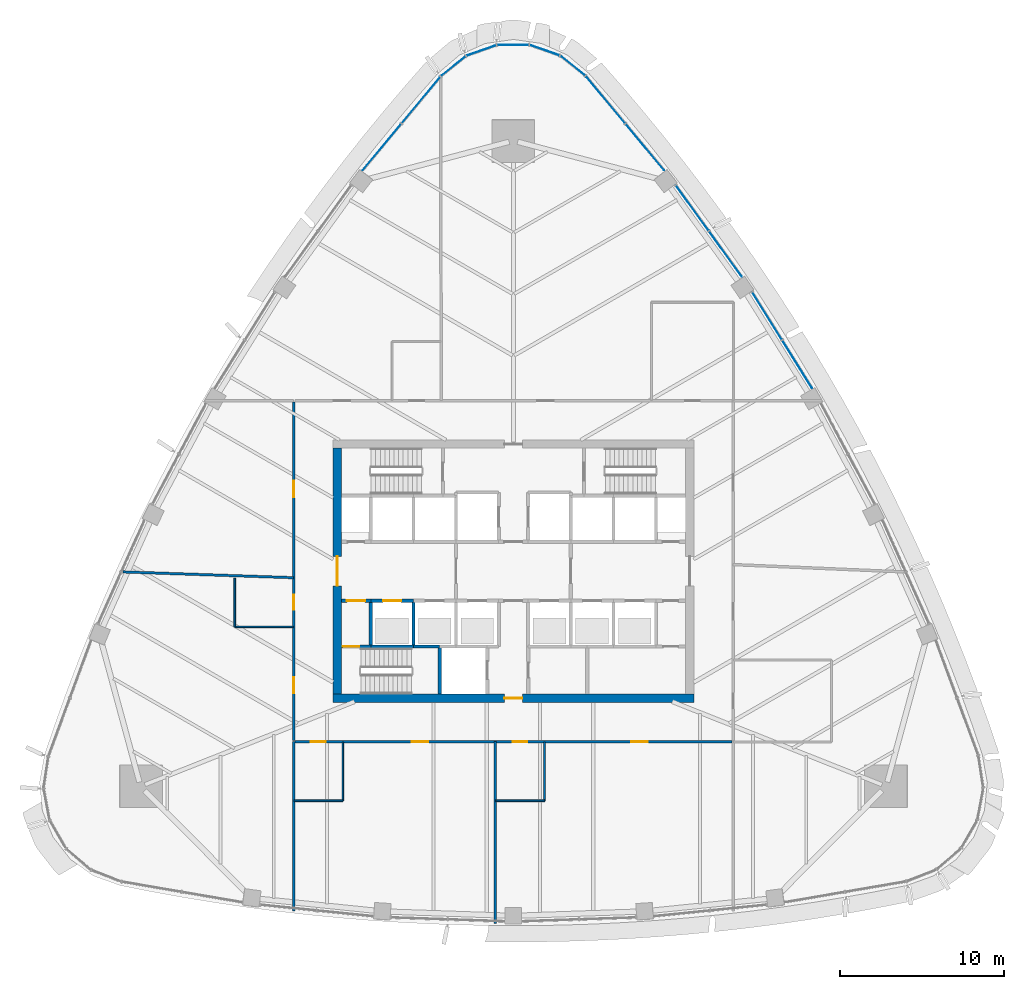
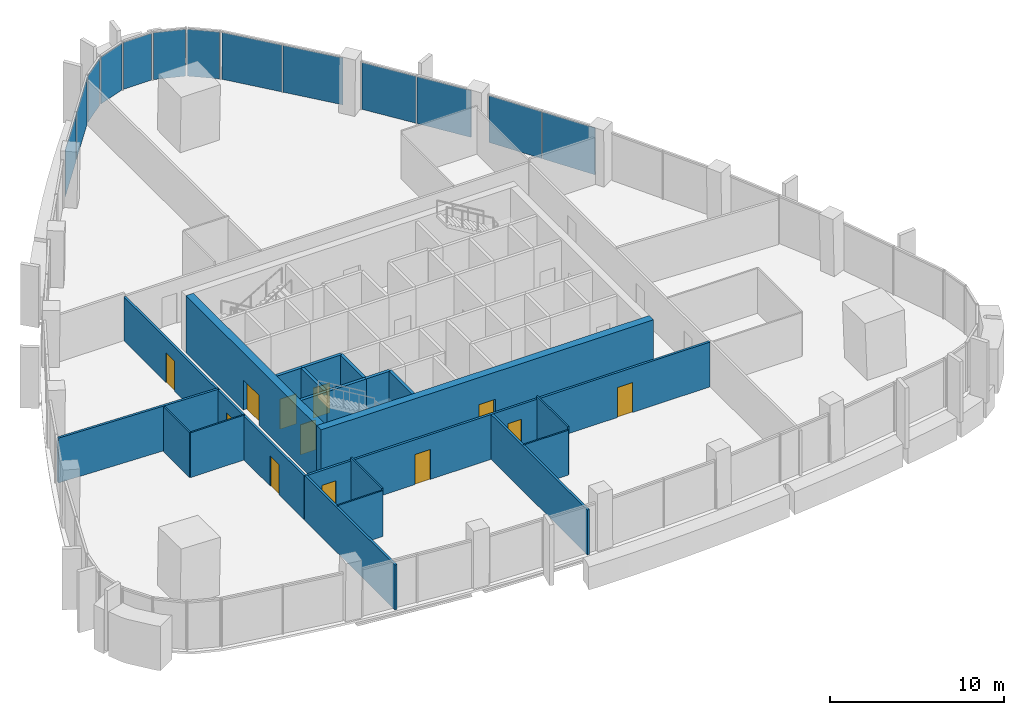
# One storey, part 9 of 19: 21 walls, 13 plates, 12 doors, 12 openings, 9 elements without a shape of their own.
"""IFC4 building model written with IfcOpenShell, lengths in metres."""

import ifcopenshell
import ifcopenshell.guid

model = None  # the IFC model being written
_history = None  # IfcOwnerHistory: only IFC2X3 demands one
_inside = {}  # id of a spatial element -> (the spatial element, [elements in it])
_under = {}  # id of a project, library or spatial element -> (it, [spatial elements below it])
_declared = {}  # id of a project -> (the project, [libraries it declares])
_typed = {}  # id of a type object -> (the type object, [elements of that type])
_made_of = {}  # id of a material, layer set ... -> (it, [elements and type objects made of it])


def new_model(schema):
    """Start an empty IFC model of exactly this schema.

    Asked for "IFC4X3", IfcOpenShell would pick the latest addendum, in which some entities
    have other attributes; the version numbers below select the first issue.
    IFC2X3 requires an IfcOwnerHistory on every rooted entity: one is made here for all.
    """
    global model, _history
    if schema == "IFC4X3":
        model = ifcopenshell.file(schema_version=(4, 3, 0, 0))
    else:
        model = ifcopenshell.file(schema=schema)
    _inside.clear()
    _under.clear()
    _declared.clear()
    _typed.clear()
    _made_of.clear()
    _history = None
    if model.schema == "IFC2X3":
        org = make("IfcOrganization", Name="unknown")
        user = make(
            "IfcPersonAndOrganization",
            ThePerson=make("IfcPerson", FamilyName="unknown"),
            TheOrganization=org,
        )
        app = make(
            "IfcApplication",
            ApplicationDeveloper=org,
            Version="unknown",
            ApplicationFullName="unknown",
            ApplicationIdentifier="unknown",
        )
        _history = make(
            "IfcOwnerHistory",
            OwningUser=user,
            OwningApplication=app,
            ChangeAction="ADDED",
            CreationDate=0,
        )
    return model


def make(cls, **values):
    """One entity of the class cls with the attributes given. An attribute that is None is left unset."""
    return model.create_entity(
        cls, **{name: value for name, value in values.items() if value is not None}
    )


def rooted(cls, **values):
    """An entity with a GlobalId (a new one), such as an element, a storey or a relation."""
    return make(cls, GlobalId=ifcopenshell.guid.new(), OwnerHistory=_history, **values)


def si_unit(unit_type, name, prefix=None):
    """IfcSIUnit, for example si_unit("LENGTHUNIT", "METRE", prefix="MILLI")."""
    return make("IfcSIUnit", UnitType=unit_type, Prefix=prefix, Name=name)


def assignment(units):
    """IfcUnitAssignment: the units of a project."""
    return None if units is None else make("IfcUnitAssignment", Units=units)


def point(xyz):
    """IfcCartesianPoint."""
    return None if xyz is None else make("IfcCartesianPoint", Coordinates=xyz)


def direction(xyz):
    """IfcDirection."""
    return None if xyz is None else make("IfcDirection", DirectionRatios=xyz)


def frame(location, z_axis=None, x_axis=None):
    """IfcAxis2Placement3D, a coordinate frame: its origin and axes. An axis left out is left unset."""
    return make(
        "IfcAxis2Placement3D",
        Location=point(location),
        Axis=direction(z_axis),
        RefDirection=direction(x_axis),
    )


def frame_2d(location, x_axis=None):
    """IfcAxis2Placement2D, a coordinate frame in the plane: its origin and x axis."""
    return make(
        "IfcAxis2Placement2D", Location=point(location), RefDirection=direction(x_axis)
    )


def origin():
    """The frame at (0, 0, 0) with its axes left unset."""
    return frame((0.0, 0.0, 0.0))


def origin_2d():
    """The frame at (0, 0) in the plane with its x axis left unset."""
    return frame_2d((0.0, 0.0))


def place(relative_to, where):
    """IfcLocalPlacement: puts the frame where relative to a parent placement (None: the world)."""
    return make(
        "IfcLocalPlacement", PlacementRelTo=relative_to, RelativePlacement=where
    )


def context(
    kind, dimensions, precision=None, world=None, true_north=None, identifier=None
):
    """IfcGeometricRepresentationContext, for example the 3D "Model" context."""
    return make(
        "IfcGeometricRepresentationContext",
        ContextIdentifier=identifier,
        ContextType=kind,
        CoordinateSpaceDimension=dimensions,
        Precision=precision,
        WorldCoordinateSystem=world,
        TrueNorth=true_north,
    )


def subcontext(parent, identifier, kind, view, scale=None):
    """IfcGeometricRepresentationSubContext, for example "Body" below "Model"."""
    return make(
        "IfcGeometricRepresentationSubContext",
        ContextIdentifier=identifier,
        ContextType=kind,
        ParentContext=parent,
        TargetScale=scale,
        TargetView=view,
    )


def project(units=None, contexts=None):
    """IfcProject with its units and contexts."""
    return rooted(
        "IfcProject",
        Name="project",
        RepresentationContexts=contexts,
        UnitsInContext=assignment(units),
    )


def spatial(cls, under=None, at=None, **own):
    """A site, building, storey or space (cls), placed at a placement, below another one or the project."""
    s = rooted(cls, ObjectPlacement=at, **own)
    if under is not None:
        _under.setdefault(under.id(), (under, []))[1].append(s)
    return s


def profile(cls, at=None, kind="AREA", **sizes):
    """A parametric profile (cls). Its sizes go by their IFC names, for example OverallWidth=200.0."""
    return make(cls, ProfileType=kind, Position=at, **sizes)


def rectangle(**sizes):
    """IfcRectangleProfileDef."""
    return profile("IfcRectangleProfileDef", **sizes)


def extrude(swept, where, along, depth):
    """IfcExtrudedAreaSolid: the profile swept, set in the frame where, extruded along a direction by depth."""
    return make(
        "IfcExtrudedAreaSolid",
        SweptArea=swept,
        Position=where,
        ExtrudedDirection=direction(along),
        Depth=depth,
    )


def shape(context_of_items, identifier, shape_type, items):
    """IfcShapeRepresentation: the items that make up one representation, for example the "Body"."""
    return make(
        "IfcShapeRepresentation",
        ContextOfItems=context_of_items,
        RepresentationIdentifier=identifier,
        RepresentationType=shape_type,
        Items=items,
    )


def material(Name=None, Category=None):
    """IfcMaterial."""
    return make("IfcMaterial", Name=Name, Category=Category)


def layer(
    of_material, thickness, ventilated=None, Name=None, Category=None, Priority=None
):
    """IfcMaterialLayer: one layer of a wall or slab, of a material (None: an air gap)."""
    return make(
        "IfcMaterialLayer",
        Material=of_material,
        LayerThickness=thickness,
        IsVentilated=ventilated,
        Name=Name,
        Category=Category,
        Priority=Priority,
    )


def layer_set(layers, Name=None):
    """IfcMaterialLayerSet."""
    return make("IfcMaterialLayerSet", MaterialLayers=layers, LayerSetName=Name)


def made_of(thing, what):
    """Note that an element or type object is made of a material, layer set ...; save() writes the relation."""
    if what is not None:
        _made_of.setdefault(what.id(), (what, []))[1].append(thing)
    return thing


def type_object(cls, material=None, **own):
    """A type object (cls), such as IfcWallType, which elements share."""
    return made_of(rooted(cls, **own), material)


def element(
    cls,
    number,
    at=None,
    inside=None,
    cuts=None,
    type_object=None,
    material=None,
    context=None,
    identifier="Body",
    shape_type=None,
    held_by="IfcProductDefinitionShape",
    body=None,
    shapes=None,
    **own,
):
    """One element of the class cls, such as IfcWall. Its Tag is "e" and its number.

    at: its placement. inside: the storey or other place that contains it. cuts: it is an
    opening in that element (IfcRelVoidsElement). A single representation is given by context,
    identifier, shape_type and body (its items); several are given by shapes. held_by: the class
    of the entity that holds the representations. save() writes the other relations.
    """
    e = rooted(cls, Tag="e%d" % number, ObjectPlacement=at, **own)
    if body is not None:
        shapes = [shape(context, identifier, shape_type, body)]
    if shapes is not None:
        e.Representation = make(held_by, Representations=shapes)
    if inside is not None:
        _inside.setdefault(inside.id(), (inside, []))[1].append(e)
    if cuts is not None:
        rooted(
            "IfcRelVoidsElement", RelatingBuildingElement=cuts, RelatedOpeningElement=e
        )
    if type_object is not None:
        _typed.setdefault(type_object.id(), (type_object, []))[1].append(e)
    return made_of(e, material)


def fill(opening, filler):
    """IfcRelFillsElement: the door or window that sits in an opening."""
    return rooted(
        "IfcRelFillsElement",
        RelatingOpeningElement=opening,
        RelatedBuildingElement=filler,
    )


def aggregate(whole, parts):
    """IfcRelAggregates: a whole, such as a stair, and the parts it consists of."""
    return rooted("IfcRelAggregates", RelatingObject=whole, RelatedObjects=parts)


def save(model, path):
    """Write the relations noted so far, then the file.

    IfcRelAggregates (storeys below a building ...), IfcRelContainedInSpatialStructure (elements
    in a storey), IfcRelDefinesByType, IfcRelAssociatesMaterial and IfcRelDeclares: one each for
    every whole, place, type object, material and project.
    """
    for whole, parts in _under.values():
        aggregate(whole, parts)
    for where, things in _inside.values():
        rooted(
            "IfcRelContainedInSpatialStructure",
            RelatedElements=things,
            RelatingStructure=where,
        )
    for kind, things in _typed.values():
        rooted("IfcRelDefinesByType", RelatedObjects=things, RelatingType=kind)
    for what, things in _made_of.values():
        rooted("IfcRelAssociatesMaterial", RelatedObjects=things, RelatingMaterial=what)
    for by, libraries in _declared.values():
        rooted("IfcRelDeclares", RelatingContext=by, RelatedDefinitions=libraries)
    model.write(path)


model = new_model("IFC4")

# Units and contexts
model_context = context("Model", 3, precision=1e-05, world=origin(), true_north=direction((0.0, 1.0)))
body_context = subcontext(model_context, "Body", "Model", "MODEL_VIEW")
ifc_project = project(units=[si_unit("LENGTHUNIT", "METRE"), si_unit("AREAUNIT", "SQUARE_METRE"), si_unit("VOLUMEUNIT", "CUBIC_METRE"), si_unit("PLANEANGLEUNIT", "RADIAN"), si_unit("MASSUNIT", "GRAM", prefix="KILO")], contexts=[model_context])

# Site, building, storey
site_placement = place(None, origin())
site = spatial("IfcSite", under=ifc_project, at=site_placement, CompositionType="ELEMENT")
building_placement = place(site_placement, origin())
building = spatial("IfcBuilding", under=site, at=building_placement, Name="Sierra Prisma Convention Tower", CompositionType="ELEMENT")
storey_placement = place(building_placement, frame((0.0, 0.0, 209.800048828125)))
storey = spatial("IfcBuildingStorey", under=building, at=storey_placement, Name="L47", CompositionType="ELEMENT", Elevation=209.800048828125)

# Curtain wall, plates
ifc_material_1 = material(Name="Aluminium and glass curtain wall", Category="aluminium")
ifc_layer_1 = layer(ifc_material_1, 0.179931640625)
ifc_layer_set_1 = layer_set([ifc_layer_1], Name="CW-1 Plain shaft curtain wall")
curtain_wall_type = type_object("IfcCurtainWallType", Name="CW-1 Plain shaft curtain wall", PredefinedType="NOTDEFINED", material=ifc_layer_set_1)
curtain_wall_1_placement = place(storey_placement, origin())
curtain_wall_1 = element("IfcCurtainWall", 1, at=curtain_wall_1_placement, inside=storey, type_object=curtain_wall_type, Name="CW-1 NE4 L47", PredefinedType="NOTDEFINED")
ifc_material_2 = material(Name="Tinted glass bronze-grey IGU", Category="glass")
ifc_layer_2 = layer(ifc_material_2, 0.028076171875)
ifc_layer_set_2 = layer_set([ifc_layer_2], Name="CW-1 glass panel")
plate_type = type_object("IfcPlateType", Name="CW-1 glass panel", PredefinedType="CURTAIN_PANEL", material=ifc_layer_set_2)
plate_1_placement = place(storey_placement, frame((17.309326171875, 12.616455078125, 0.0), z_axis=(0.0, 0.0, 1.0), x_axis=(-0.529128358012, 0.848541796701, 0.0)))
plate_1 = element("IfcPlate", 2, at=plate_1_placement, type_object=plate_type, Name="CW-1 panel NE4.1", PredefinedType="CURTAIN_PANEL", context=body_context, shape_type="SweptSolid", body=[
    extrude(rectangle(XDim=3.405517578125, YDim=0.028076171875, at=origin_2d()), origin(), (0.0, 0.0, 1.0), 3.280029296875),
])
plate_2_placement = place(storey_placement, frame((15.47021484375, 15.565673828125, 0.0), z_axis=(0.0, 0.0, 1.0), x_axis=(-0.529128358012, 0.848541796701, 0.0)))
plate_2 = element("IfcPlate", 3, at=plate_2_placement, type_object=plate_type, Name="CW-1 panel NE4.2", PredefinedType="CURTAIN_PANEL", context=body_context, shape_type="SweptSolid", body=[
    extrude(rectangle(XDim=3.405517578125, YDim=0.028076171875, at=origin_2d()), origin(), (0.0, 0.0, 1.0), 3.280029296875),
])
aggregate(curtain_wall_1, [plate_1, plate_2])

curtain_wall_2_placement = place(storey_placement, origin())
curtain_wall_2 = element("IfcCurtainWall", 4, at=curtain_wall_2_placement, inside=storey, type_object=curtain_wall_type, Name="CW-1 NE5 L47", PredefinedType="NOTDEFINED")
plate_3_placement = place(storey_placement, frame((12.934814453125, 19.3408203125, 0.0), z_axis=(0.0, 0.0, 1.0), x_axis=(-0.585520099679, 0.810657888922, 0.0)))
plate_3 = element("IfcPlate", 5, at=plate_3_placement, type_object=plate_type, Name="CW-1 panel NE5.1", PredefinedType="CURTAIN_PANEL", context=body_context, shape_type="SweptSolid", body=[
    extrude(rectangle(XDim=3.390380859375, YDim=0.028076171875, at=origin_2d()), origin(), (0.0, 0.0, 1.0), 3.280029296875),
])
plate_4_placement = place(storey_placement, frame((10.90869140625, 22.14599609375, 0.0), z_axis=(0.0, 0.0, 1.0), x_axis=(-0.585520099679, 0.810657888922, 0.0)))
plate_4 = element("IfcPlate", 6, at=plate_4_placement, type_object=plate_type, Name="CW-1 panel NE5.2", PredefinedType="CURTAIN_PANEL", context=body_context, shape_type="SweptSolid", body=[
    extrude(rectangle(XDim=3.390380859375, YDim=0.028076171875, at=origin_2d()), origin(), (0.0, 0.0, 1.0), 3.280029296875),
])
aggregate(curtain_wall_2, [plate_3, plate_4])

curtain_wall_3_placement = place(storey_placement, origin())
curtain_wall_3 = element("IfcCurtainWall", 7, at=curtain_wall_3_placement, inside=storey, type_object=curtain_wall_type, Name="CW-1 NE6 L47", PredefinedType="NOTDEFINED")
plate_5_placement = place(storey_placement, frame((8.02294921875, 25.863037109375, 0.0), z_axis=(0.0, 0.0, 1.0), x_axis=(-0.63920953786, 0.769032617455, 0.0)))
plate_5 = element("IfcPlate", 8, at=plate_5_placement, type_object=plate_type, Name="CW-1 panel NE6.1", PredefinedType="CURTAIN_PANEL", context=body_context, shape_type="SweptSolid", body=[
    extrude(rectangle(XDim=3.66162109375, YDim=0.028076171875, at=origin_2d()), origin(), (0.0, 0.0, 1.0), 3.280029296875),
])
plate_6_placement = place(storey_placement, frame((5.6376953125, 28.73291015625, 0.0), z_axis=(0.0, 0.0, 1.0), x_axis=(-0.63920953786, 0.769032617455, 0.0)))
plate_6 = element("IfcPlate", 9, at=plate_6_placement, type_object=plate_type, Name="CW-1 panel NE6.2", PredefinedType="CURTAIN_PANEL", context=body_context, shape_type="SweptSolid", body=[
    extrude(rectangle(XDim=3.66162109375, YDim=0.028076171875, at=origin_2d()), origin(), (0.0, 0.0, 1.0), 3.280029296875),
])
aggregate(curtain_wall_3, [plate_5, plate_6])

# Curtain wall, plate
curtain_wall_4_placement = place(storey_placement, origin())
curtain_wall_4 = element("IfcCurtainWall", 10, at=curtain_wall_4_placement, inside=storey, type_object=curtain_wall_type, Name="CW-1 N1 L47", PredefinedType="NOTDEFINED")
plate_7_placement = place(storey_placement, frame((3.646240234375, 30.815673828125, 0.0), z_axis=(0.0, 0.0, 1.0), x_axis=(-0.780905814202, 0.624648788797, 0.0)))
plate_7 = element("IfcPlate", 11, at=plate_7_placement, type_object=plate_type, Name="CW-1 panel N1.1", PredefinedType="CURTAIN_PANEL", context=body_context, shape_type="SweptSolid", body=[
    extrude(rectangle(XDim=1.84814453125, YDim=0.028076171875, at=origin_2d()), origin(), (0.0, 0.0, 1.0), 3.280029296875),
])
aggregate(curtain_wall_4, [plate_7])

curtain_wall_5_placement = place(storey_placement, origin())
curtain_wall_5 = element("IfcCurtainWall", 12, at=curtain_wall_5_placement, inside=storey, type_object=curtain_wall_type, Name="CW-1 N2 L47", PredefinedType="NOTDEFINED")
plate_8_placement = place(storey_placement, frame((1.93212890625, 31.765625, 0.0), z_axis=(0.0, 0.0, 1.0), x_axis=(-0.943638122959, 0.330978991628, 0.0)))
plate_8 = element("IfcPlate", 13, at=plate_8_placement, type_object=plate_type, Name="CW-1 panel N2.1", PredefinedType="CURTAIN_PANEL", context=body_context, shape_type="SweptSolid", body=[
    extrude(rectangle(XDim=1.84814453125, YDim=0.028076171875, at=origin_2d()), origin(), (0.0, 0.0, 1.0), 3.280029296875),
])
aggregate(curtain_wall_5, [plate_8])

curtain_wall_6_placement = place(storey_placement, origin())
curtain_wall_6 = element("IfcCurtainWall", 14, at=curtain_wall_6_placement, inside=storey, type_object=curtain_wall_type, Name="CW-1 N3 L47", PredefinedType="NOTDEFINED")
plate_9_placement = place(storey_placement, frame((0.0, 32.094482421875, 0.0), z_axis=(0.0, 0.0, 1.0), x_axis=(-1.0, 0.0, 0.0)))
plate_9 = element("IfcPlate", 15, at=plate_9_placement, type_object=plate_type, Name="CW-1 panel N3.1", PredefinedType="CURTAIN_PANEL", context=body_context, shape_type="SweptSolid", body=[
    extrude(rectangle(XDim=1.84814453125, YDim=0.028076171875, at=origin_2d()), origin(), (0.0, 0.0, 1.0), 3.280029296875),
])
aggregate(curtain_wall_6, [plate_9])

curtain_wall_7_placement = place(storey_placement, origin())
curtain_wall_7 = element("IfcCurtainWall", 16, at=curtain_wall_7_placement, inside=storey, type_object=curtain_wall_type, Name="CW-1 N4 L47", PredefinedType="NOTDEFINED")
plate_10_placement = place(storey_placement, frame((-1.93212890625, 31.765625, 0.0), z_axis=(0.0, 0.0, 1.0), x_axis=(-0.943638122959, -0.330978991628, 0.0)))
plate_10 = element("IfcPlate", 17, at=plate_10_placement, type_object=plate_type, Name="CW-1 panel N4.1", PredefinedType="CURTAIN_PANEL", context=body_context, shape_type="SweptSolid", body=[
    extrude(rectangle(XDim=1.84814453125, YDim=0.028076171875, at=origin_2d()), origin(), (0.0, 0.0, 1.0), 3.280029296875),
])
aggregate(curtain_wall_7, [plate_10])

curtain_wall_8_placement = place(storey_placement, origin())
curtain_wall_8 = element("IfcCurtainWall", 18, at=curtain_wall_8_placement, inside=storey, type_object=curtain_wall_type, Name="CW-1 N5 L47", PredefinedType="NOTDEFINED")
plate_11_placement = place(storey_placement, frame((-3.646240234375, 30.815673828125, 0.0), z_axis=(0.0, 0.0, 1.0), x_axis=(-0.780905814202, -0.624648788797, 0.0)))
plate_11 = element("IfcPlate", 19, at=plate_11_placement, type_object=plate_type, Name="CW-1 panel N5.1", PredefinedType="CURTAIN_PANEL", context=body_context, shape_type="SweptSolid", body=[
    extrude(rectangle(XDim=1.84814453125, YDim=0.028076171875, at=origin_2d()), origin(), (0.0, 0.0, 1.0), 3.280029296875),
])
aggregate(curtain_wall_8, [plate_11])

# Curtain wall, plates
curtain_wall_9_placement = place(storey_placement, origin())
curtain_wall_9 = element("IfcCurtainWall", 20, at=curtain_wall_9_placement, inside=storey, type_object=curtain_wall_type, Name="CW-1 NW1 L47", PredefinedType="NOTDEFINED")
plate_12_placement = place(storey_placement, frame((-5.6376953125, 28.73291015625, 0.0), z_axis=(0.0, 0.0, 1.0), x_axis=(-0.63920953786, -0.769032617455, 0.0)))
plate_12 = element("IfcPlate", 21, at=plate_12_placement, type_object=plate_type, Name="CW-1 panel NW1.1", PredefinedType="CURTAIN_PANEL", context=body_context, shape_type="SweptSolid", body=[
    extrude(rectangle(XDim=3.66162109375, YDim=0.028076171875, at=origin_2d()), origin(), (0.0, 0.0, 1.0), 3.280029296875),
])
plate_13_placement = place(storey_placement, frame((-8.02294921875, 25.863037109375, 0.0), z_axis=(0.0, 0.0, 1.0), x_axis=(-0.63920953786, -0.769032617455, 0.0)))
plate_13 = element("IfcPlate", 22, at=plate_13_placement, type_object=plate_type, Name="CW-1 panel NW1.2", PredefinedType="CURTAIN_PANEL", context=body_context, shape_type="SweptSolid", body=[
    extrude(rectangle(XDim=3.66162109375, YDim=0.028076171875, at=origin_2d()), origin(), (0.0, 0.0, 1.0), 3.280029296875),
])
aggregate(curtain_wall_9, [plate_12, plate_13])

# Walls
ifc_material_3 = material(Name="Gypsum board partition", Category="gypsum")
ifc_layer_3 = layer(ifc_material_3, 0.10009765625)
ifc_layer_set_3 = layer_set([ifc_layer_3], Name="Bathroom partition 100")
wall_type_1 = type_object("IfcWallType", Name="Bathroom partition 100", PredefinedType="PARTITIONING", material=ifc_layer_set_3)
wall_1_placement = place(storey_placement, frame((-13.429931640625, -3.39990234375, 0.0), z_axis=(0.0, 0.0, 1.0), x_axis=(-1.0, 0.0, 0.0)))
element("IfcWall", 23, at=wall_1_placement, inside=storey, type_object=wall_type_1, Name="Partition L47 bath 1", PredefinedType="PARTITIONING", context=body_context, shape_type="SweptSolid", body=[
    extrude(rectangle(XDim=3.570068359375, YDim=0.10009765625, at=frame_2d((1.78515625, 0.0))), origin(), (0.0, 0.0, 1.0), 3.137939453125),
])
wall_2_placement = place(storey_placement, frame((-17.0, -3.39990234375, 0.0), z_axis=(0.0, 0.0, 1.0), x_axis=(0.0, 1.0, 0.0)))
element("IfcWall", 24, at=wall_2_placement, inside=storey, type_object=wall_type_1, Name="Partition L47 bath 2", PredefinedType="PARTITIONING", context=body_context, shape_type="SweptSolid", body=[
    extrude(rectangle(XDim=2.969970703125, YDim=0.10009765625, at=frame_2d((1.48486328125, 0.0))), origin(), (0.0, 0.0, 1.0), 3.137939453125),
])
wall_3_placement = place(storey_placement, frame((-10.39990234375, -10.429931640625, 0.0), z_axis=(0.0, 0.0, 1.0), x_axis=(0.0, -1.0, 0.0)))
element("IfcWall", 25, at=wall_3_placement, inside=storey, type_object=wall_type_1, Name="Partition L47 bath 3", PredefinedType="PARTITIONING", context=body_context, shape_type="SweptSolid", body=[
    extrude(rectangle(XDim=3.570068359375, YDim=0.10009765625, at=frame_2d((1.78515625, 0.0))), origin(), (0.0, 0.0, 1.0), 3.349853515625),
])
wall_4_placement = place(storey_placement, frame((-10.39990234375, -14.0, 0.0), z_axis=(0.0, 0.0, 1.0), x_axis=(-1.0, 0.0, 0.0)))
element("IfcWall", 26, at=wall_4_placement, inside=storey, type_object=wall_type_1, Name="Partition L47 bath 4", PredefinedType="PARTITIONING", context=body_context, shape_type="SweptSolid", body=[
    extrude(rectangle(XDim=2.97021484375, YDim=0.10009765625, at=frame_2d((1.485107421875, 0.0))), origin(), (0.0, 0.0, 1.0), 3.2060546875),
])
wall_5_placement = place(storey_placement, frame((1.89990234375, -10.429931640625, 0.0), z_axis=(0.0, 0.0, 1.0), x_axis=(0.0, -1.0, 0.0)))
element("IfcWall", 27, at=wall_5_placement, inside=storey, type_object=wall_type_1, Name="Partition L47 bath 7", PredefinedType="PARTITIONING", context=body_context, shape_type="SweptSolid", body=[
    extrude(rectangle(XDim=3.570068359375, YDim=0.10009765625, at=frame_2d((1.78515625, 0.0))), origin(), (0.0, 0.0, 1.0), 3.349853515625),
])
wall_6_placement = place(storey_placement, frame((1.89990234375, -14.0, 0.0), z_axis=(0.0, 0.0, 1.0), x_axis=(-1.0, 0.0, 0.0)))
element("IfcWall", 28, at=wall_6_placement, inside=storey, type_object=wall_type_1, Name="Partition L47 bath 8", PredefinedType="PARTITIONING", context=body_context, shape_type="SweptSolid", body=[
    extrude(rectangle(XDim=2.969970703125, YDim=0.10009765625, at=frame_2d((1.48486328125, 0.0))), origin(), (0.0, 0.0, 1.0), 3.137939453125),
])

# Wall, opening, door
ifc_material_4 = material(Name="Concrete C30/37", Category="concrete")
ifc_layer_4 = layer(ifc_material_4, 0.199951171875)
ifc_layer_set_4 = layer_set([ifc_layer_4], Name="Core wall RC 200 C30/37")
wall_type_2 = type_object("IfcWallType", Name="Core wall RC 200 C30/37", PredefinedType="SOLIDWALL", material=ifc_layer_set_4)
wall_7_placement = place(storey_placement, frame((-10.5, -4.60009765625, 0.0), z_axis=(0.0, 0.0, 1.0), x_axis=(1.0, 0.0, 0.0)))
wall_7 = element("IfcWall", 29, at=wall_7_placement, inside=storey, type_object=wall_type_2, Name="Core wall L47 1", PredefinedType="SOLIDWALL", context=body_context, shape_type="SweptSolid", body=[
    extrude(rectangle(XDim=1.800048828125, YDim=0.199951171875, at=frame_2d((0.89990234375, 0.0))), origin(), (0.0, 0.0, 1.0), 3.849853515625),
])
opening_1_placement = place(wall_7_placement, frame((0.10009765625, 0.0, 0.0)))
opening_1 = element("IfcOpeningElement", 30, at=opening_1_placement, cuts=wall_7, Name="Opening L47-D017", PredefinedType="OPENING", context=body_context, shape_type="SweptSolid", body=[
    extrude(rectangle(XDim=1.0, YDim=2.10009765625, at=frame_2d((0.5, 1.050048828125))), frame((0.0, 0.10009765625, 0.0), z_axis=(0.0, -1.0, 0.0), x_axis=(1.0, 0.0, 0.0)), (0.0, 0.0, 1.0), 0.199951171875),
])
ifc_material_5 = material(Name="Steel fire door leaf", Category="steel")
door_type_1 = type_object("IfcDoorType", Name="Door 1000x2100 FD90S", OperationType="SINGLE_SWING_LEFT", PredefinedType="DOOR", material=ifc_material_5)
door_1_placement = place(opening_1_placement, origin())
door_1 = element("IfcDoor", 31, at=door_1_placement, inside=storey, type_object=door_type_1, Name="Door L47 31", OperationType="SINGLE_SWING_LEFT", OverallHeight=2.10009765625, OverallWidth=1.0, PredefinedType="DOOR", context=body_context, shape_type="SweptSolid", body=[
    extrude(rectangle(XDim=1.0, YDim=2.10009765625, at=frame_2d((0.5, 1.050048828125))), frame((0.0, 0.02490234375, 0.0), z_axis=(0.0, -1.0, 0.0), x_axis=(1.0, 0.0, 0.0)), (0.0, 0.0, 1.0), 0.050048828125),
])
fill(opening_1, door_1)

wall_8_placement = place(storey_placement, frame((-10.5, -1.800048828125, 0.0), z_axis=(0.0, 0.0, 1.0), x_axis=(1.0, 0.0, 0.0)))
wall_8 = element("IfcWall", 32, at=wall_8_placement, inside=storey, type_object=wall_type_2, Name="Core wall L47 2", PredefinedType="SOLIDWALL", context=body_context, shape_type="SweptSolid", body=[
    extrude(rectangle(XDim=1.800048828125, YDim=0.199951171875, at=frame_2d((0.89990234375, 0.0))), origin(), (0.0, 0.0, 1.0), 3.849853515625),
])
opening_2_placement = place(wall_8_placement, frame((0.35009765625, 0.0, 0.0)))
opening_2 = element("IfcOpeningElement", 33, at=opening_2_placement, cuts=wall_8, Name="Opening L47-D012", PredefinedType="OPENING", context=body_context, shape_type="SweptSolid", body=[
    extrude(rectangle(XDim=1.10009765625, YDim=2.10009765625, at=frame_2d((0.550048828125, 1.050048828125))), frame((0.0, 0.10009765625, 0.0), z_axis=(0.0, -1.0, 0.0), x_axis=(1.0, 0.0, 0.0)), (0.0, 0.0, 1.0), 0.199951171875),
])
ifc_material_6 = material(Name="Steel fire door leaf", Category="steel")
door_type_2 = type_object("IfcDoorType", Name="Door 1100x2100 FD90S", OperationType="SINGLE_SWING_LEFT", PredefinedType="DOOR", material=ifc_material_6)
door_2_placement = place(opening_2_placement, origin())
door_2 = element("IfcDoor", 34, at=door_2_placement, inside=storey, type_object=door_type_2, Name="Door L47 26", OperationType="SINGLE_SWING_RIGHT", OverallHeight=2.10009765625, OverallWidth=1.10009765625, PredefinedType="DOOR", context=body_context, shape_type="SweptSolid", body=[
    extrude(rectangle(XDim=1.10009765625, YDim=2.10009765625, at=frame_2d((0.550048828125, 1.050048828125))), frame((0.0, 0.02490234375, 0.0), z_axis=(0.0, -1.0, 0.0), x_axis=(1.0, 0.0, 0.0)), (0.0, 0.0, 1.0), 0.050048828125),
])
fill(opening_2, door_2)

# Walls
wall_9_placement = place(storey_placement, frame((-8.699951171875, -4.60009765625, 0.0), z_axis=(0.0, 0.0, 1.0), x_axis=(1.0, 0.0, 0.0)))
element("IfcWall", 35, at=wall_9_placement, inside=storey, type_object=wall_type_2, Name="Core wall L47 5", PredefinedType="SOLIDWALL", context=body_context, shape_type="SweptSolid", body=[
    extrude(rectangle(XDim=2.599853515625, YDim=0.199951171875, at=frame_2d((1.2998046875, 0.0))), origin(), (0.0, 0.0, 1.0), 3.849853515625),
])
wall_10_placement = place(storey_placement, frame((-8.699951171875, -4.60009765625, 0.0), z_axis=(0.0, 0.0, 1.0), x_axis=(0.0, 1.0, 0.0)))
element("IfcWall", 36, at=wall_10_placement, inside=storey, type_object=wall_type_2, Name="Core wall L47 6", PredefinedType="SOLIDWALL", context=body_context, shape_type="SweptSolid", body=[
    extrude(rectangle(XDim=2.800048828125, YDim=0.199951171875, at=frame_2d((1.39990234375, 0.0))), origin(), (0.0, 0.0, 1.0), 3.849853515625),
])

# Wall, opening, door
wall_11_placement = place(storey_placement, frame((-8.699951171875, -1.800048828125, 0.0), z_axis=(0.0, 0.0, 1.0), x_axis=(1.0, 0.0, 0.0)))
wall_11 = element("IfcWall", 37, at=wall_11_placement, inside=storey, type_object=wall_type_2, Name="Core wall L47 7", PredefinedType="SOLIDWALL", context=body_context, shape_type="SweptSolid", body=[
    extrude(rectangle(XDim=2.599853515625, YDim=0.199951171875, at=frame_2d((1.2998046875, 0.0))), origin(), (0.0, 0.0, 1.0), 3.849853515625),
])
opening_3_placement = place(wall_11_placement, frame((0.75, 0.0, 0.0)))
opening_3 = element("IfcOpeningElement", 38, at=opening_3_placement, cuts=wall_11, Name="Opening L47-D001", PredefinedType="OPENING", context=body_context, shape_type="SweptSolid", body=[
    extrude(rectangle(XDim=1.10009765625, YDim=2.10009765625, at=frame_2d((0.550048828125, 1.050048828125))), frame((0.0, 0.10009765625, 0.0), z_axis=(0.0, -1.0, 0.0), x_axis=(1.0, 0.0, 0.0)), (0.0, 0.0, 1.0), 0.199951171875),
])
ifc_material_7 = material(Name="Steel fire door leaf", Category="steel")
door_type_3 = type_object("IfcDoorType", Name="Door 1100x2100 EI 90 sliding lift landing", OperationType="SLIDING_TO_LEFT", PredefinedType="DOOR", material=ifc_material_7)
door_3_placement = place(opening_3_placement, origin())
door_3 = element("IfcDoor", 39, at=door_3_placement, inside=storey, type_object=door_type_3, Name="Door L47 15", OperationType="SLIDING_TO_RIGHT", OverallHeight=2.10009765625, OverallWidth=1.10009765625, PredefinedType="DOOR", context=body_context, shape_type="SweptSolid", body=[
    extrude(rectangle(XDim=1.10009765625, YDim=2.10009765625, at=frame_2d((0.550048828125, 1.050048828125))), frame((0.0, 0.02490234375, 0.0), z_axis=(0.0, -1.0, 0.0), x_axis=(1.0, 0.0, 0.0)), (0.0, 0.0, 1.0), 0.050048828125),
])
fill(opening_3, door_3)

# Walls
wall_12_placement = place(storey_placement, frame((-6.10009765625, -4.60009765625, 0.0), z_axis=(0.0, 0.0, 1.0), x_axis=(1.0, 0.0, 0.0)))
element("IfcWall", 40, at=wall_12_placement, inside=storey, type_object=wall_type_2, Name="Core wall L47 11", PredefinedType="SOLIDWALL", context=body_context, shape_type="SweptSolid", body=[
    extrude(rectangle(XDim=1.60009765625, YDim=0.199951171875, at=frame_2d((0.800048828125, 0.0))), origin(), (0.0, 0.0, 1.0), 3.849853515625),
])
wall_13_placement = place(storey_placement, frame((-6.10009765625, -4.60009765625, 0.0), z_axis=(0.0, 0.0, 1.0), x_axis=(0.0, 1.0, 0.0)))
element("IfcWall", 41, at=wall_13_placement, inside=storey, type_object=wall_type_2, Name="Core wall L47 12", PredefinedType="SOLIDWALL", context=body_context, shape_type="SweptSolid", body=[
    extrude(rectangle(XDim=2.800048828125, YDim=0.199951171875, at=frame_2d((1.39990234375, 0.0))), origin(), (0.0, 0.0, 1.0), 3.849853515625),
])
wall_14_placement = place(storey_placement, frame((-4.5, -4.60009765625, 0.0), z_axis=(0.0, 0.0, 1.0), x_axis=(0.0, -1.0, 0.0)))
element("IfcWall", 42, at=wall_14_placement, inside=storey, type_object=wall_type_2, Name="Core wall L47 17", PredefinedType="SOLIDWALL", context=body_context, shape_type="SweptSolid", body=[
    extrude(rectangle(XDim=2.89990234375, YDim=0.199951171875, at=frame_2d((1.449951171875, 0.0))), origin(), (0.0, 0.0, 1.0), 3.849853515625),
])

# Wall, opening, door
ifc_material_8 = material(Name="Concrete C60/75", Category="concrete")
ifc_layer_5 = layer(ifc_material_8, 0.5)
ifc_layer_set_5 = layer_set([ifc_layer_5], Name="Core wall RC 500 C60/75")
wall_type_3 = type_object("IfcWallType", Name="Core wall RC 500 C60/75", PredefinedType="SHEAR", material=ifc_layer_set_5)
wall_15_placement = place(storey_placement, frame((-11.0, -7.75, 0.0), z_axis=(0.0, 0.0, 1.0), x_axis=(1.0, 0.0, 0.0)))
wall_15 = element("IfcWall", 43, at=wall_15_placement, inside=storey, type_object=wall_type_3, Name="Core wall S L47", PredefinedType="SHEAR", context=body_context, shape_type="SweptSolid", body=[
    extrude(rectangle(XDim=22.0, YDim=0.5, at=frame_2d((11.0, 0.0))), origin(), (0.0, 0.0, 1.0), 4.0),
])
opening_4_placement = place(wall_15_placement, frame((10.449951171875, 0.0, 0.0)))
opening_4 = element("IfcOpeningElement", 44, at=opening_4_placement, cuts=wall_15, Name="Opening L47-D039", PredefinedType="OPENING", context=body_context, shape_type="SweptSolid", body=[
    extrude(rectangle(XDim=1.10009765625, YDim=2.10009765625, at=frame_2d((0.550048828125, 1.050048828125))), frame((0.0, 0.25, 0.0), z_axis=(0.0, -1.0, 0.0), x_axis=(1.0, 0.0, 0.0)), (0.0, 0.0, 1.0), 0.5),
])
ifc_material_9 = material(Name="Steel fire door leaf", Category="steel")
door_type_4 = type_object("IfcDoorType", Name="Door 1100x2100 FD30S", OperationType="SINGLE_SWING_LEFT", PredefinedType="DOOR", material=ifc_material_9)
door_4_placement = place(opening_4_placement, origin())
door_4 = element("IfcDoor", 45, at=door_4_placement, inside=storey, type_object=door_type_4, Name="Door L47 40", OperationType="SINGLE_SWING_LEFT", OverallHeight=2.10009765625, OverallWidth=1.10009765625, PredefinedType="DOOR", context=body_context, shape_type="SweptSolid", body=[
    extrude(rectangle(XDim=1.10009765625, YDim=2.10009765625, at=frame_2d((0.550048828125, 1.050048828125))), frame((0.0, 0.02490234375, 0.0), z_axis=(0.0, -1.0, 0.0), x_axis=(1.0, 0.0, 0.0)), (0.0, 0.0, 1.0), 0.050048828125),
])
fill(opening_4, door_4)

wall_16_placement = place(storey_placement, frame((-10.75, -7.5, 0.0), z_axis=(0.0, 0.0, 1.0), x_axis=(0.0, 1.0, 0.0)))
wall_16 = element("IfcWall", 46, at=wall_16_placement, inside=storey, type_object=wall_type_3, Name="Core wall W L47", PredefinedType="SHEAR", context=body_context, shape_type="SweptSolid", body=[
    extrude(rectangle(XDim=15.0, YDim=0.5, at=frame_2d((7.5, 0.0))), origin(), (0.0, 0.0, 1.0), 4.0),
])
opening_5_placement = place(wall_16_placement, frame((6.60009765625, 0.0, 0.0)))
opening_5 = element("IfcOpeningElement", 47, at=opening_5_placement, cuts=wall_16, Name="Opening L47-D040", PredefinedType="OPENING", context=body_context, shape_type="SweptSolid", body=[
    extrude(rectangle(XDim=1.800048828125, YDim=2.10009765625, at=frame_2d((0.89990234375, 1.050048828125))), frame((0.0, 0.25, 0.0), z_axis=(0.0, -1.0, 0.0), x_axis=(1.0, 0.0, 0.0)), (0.0, 0.0, 1.0), 0.5),
])
ifc_material_10 = material(Name="Steel fire door leaf", Category="steel")
door_type_5 = type_object("IfcDoorType", Name="Door 1800x2100 FD60S", OperationType="DOUBLE_DOOR_SINGLE_SWING", PredefinedType="DOOR", material=ifc_material_10)
door_5_placement = place(opening_5_placement, origin())
door_5 = element("IfcDoor", 48, at=door_5_placement, inside=storey, type_object=door_type_5, Name="Door L47 37", OperationType="DOUBLE_DOOR_SINGLE_SWING", OverallHeight=2.10009765625, OverallWidth=1.800048828125, PredefinedType="DOOR", context=body_context, shape_type="SweptSolid", body=[
    extrude(rectangle(XDim=1.800048828125, YDim=2.10009765625, at=frame_2d((0.89990234375, 1.050048828125))), frame((0.0, 0.02490234375, 0.0), z_axis=(0.0, -1.0, 0.0), x_axis=(1.0, 0.0, 0.0)), (0.0, 0.0, 1.0), 0.050048828125),
])
fill(opening_5, door_5)

# Wall, openings, doors
ifc_material_11 = material(Name="Gypsum board partition", Category="gypsum")
ifc_layer_6 = layer(ifc_material_11, 0.14990234375)
ifc_layer_set_6 = layer_set([ifc_layer_6], Name="Corridor wall 150 gypsum EI 60")
wall_type_4 = type_object("IfcWallType", Name="Corridor wall 150 gypsum EI 60", PredefinedType="PARTITIONING", material=ifc_layer_set_6)
wall_17_placement = place(storey_placement, frame((-13.39990234375, 10.320068359375, 0.0), z_axis=(0.0, 0.0, 1.0), x_axis=(0.0, -1.0, 0.0)))
wall_17 = element("IfcWall", 49, at=wall_17_placement, inside=storey, type_object=wall_type_4, Name="Partition L47 corr 1", PredefinedType="PARTITIONING", context=body_context, shape_type="SweptSolid", body=[
    extrude(rectangle(XDim=20.64013671875, YDim=0.14990234375, at=frame_2d((10.320068359375, 0.0))), origin(), (0.0, 0.0, 1.0), 3.06591796875),
])
opening_6_placement = place(wall_17_placement, frame((4.820068359375, 0.0, 0.0)))
opening_6 = element("IfcOpeningElement", 50, at=opening_6_placement, cuts=wall_17, Name="Opening L47-D028", PredefinedType="OPENING", context=body_context, shape_type="SweptSolid", body=[
    extrude(rectangle(XDim=1.0, YDim=2.10009765625, at=frame_2d((0.5, 1.050048828125))), frame((0.0, 0.074951171875, 0.0), z_axis=(0.0, -1.0, 0.0), x_axis=(1.0, 0.0, 0.0)), (0.0, 0.0, 1.0), 0.14990234375),
])
opening_7_placement = place(wall_17_placement, frame((11.77001953125, 0.0, 0.0)))
opening_7 = element("IfcOpeningElement", 51, at=opening_7_placement, cuts=wall_17, Name="Opening L47-D029", PredefinedType="OPENING", context=body_context, shape_type="SweptSolid", body=[
    extrude(rectangle(XDim=0.89990234375, YDim=2.10009765625, at=frame_2d((0.449951171875, 1.050048828125))), frame((0.0, 0.074951171875, 0.0), z_axis=(0.0, -1.0, 0.0), x_axis=(1.0, 0.0, 0.0)), (0.0, 0.0, 1.0), 0.14990234375),
])
opening_8_placement = place(wall_17_placement, frame((16.780029296875, 0.0, 0.0)))
opening_8 = element("IfcOpeningElement", 52, at=opening_8_placement, cuts=wall_17, Name="Opening L47-D030", PredefinedType="OPENING", context=body_context, shape_type="SweptSolid", body=[
    extrude(rectangle(XDim=1.0, YDim=2.10009765625, at=frame_2d((0.5, 1.050048828125))), frame((0.0, 0.074951171875, 0.0), z_axis=(0.0, -1.0, 0.0), x_axis=(1.0, 0.0, 0.0)), (0.0, 0.0, 1.0), 0.14990234375),
])
ifc_material_12 = material(Name="Steel fire door leaf", Category="steel")
door_type_6 = type_object("IfcDoorType", Name="Door 1000x2100 FD30S", OperationType="SINGLE_SWING_LEFT", PredefinedType="DOOR", material=ifc_material_12)
door_6_placement = place(opening_6_placement, origin())
door_6 = element("IfcDoor", 53, at=door_6_placement, inside=storey, type_object=door_type_6, Name="Door L47 6", OperationType="SINGLE_SWING_LEFT", OverallHeight=2.10009765625, OverallWidth=1.0, PredefinedType="DOOR", context=body_context, shape_type="SweptSolid", body=[
    extrude(rectangle(XDim=1.0, YDim=2.10009765625, at=frame_2d((0.5, 1.050048828125))), frame((0.0, 0.02490234375, 0.0), z_axis=(0.0, -1.0, 0.0), x_axis=(1.0, 0.0, 0.0)), (0.0, 0.0, 1.0), 0.050048828125),
])
fill(opening_6, door_6)
door_7_placement = place(opening_8_placement, origin())
door_7 = element("IfcDoor", 54, at=door_7_placement, inside=storey, type_object=door_type_6, Name="Door L47 8", OperationType="SINGLE_SWING_RIGHT", OverallHeight=2.10009765625, OverallWidth=1.0, PredefinedType="DOOR", context=body_context, shape_type="SweptSolid", body=[
    extrude(rectangle(XDim=1.0, YDim=2.10009765625, at=frame_2d((0.5, 1.050048828125))), frame((0.0, 0.02490234375, 0.0), z_axis=(0.0, -1.0, 0.0), x_axis=(1.0, 0.0, 0.0)), (0.0, 0.0, 1.0), 0.050048828125),
])
fill(opening_8, door_7)
ifc_material_13 = material(Name="Steel fire door leaf", Category="steel")
door_type_7 = type_object("IfcDoorType", Name="Door 900x2100 FD30S", OperationType="SINGLE_SWING_LEFT", PredefinedType="DOOR", material=ifc_material_13)
door_8_placement = place(opening_7_placement, origin())
door_8 = element("IfcDoor", 55, at=door_8_placement, inside=storey, type_object=door_type_7, Name="Door L47 7", OperationType="SINGLE_SWING_RIGHT", OverallHeight=2.10009765625, OverallWidth=0.89990234375, PredefinedType="DOOR", context=body_context, shape_type="SweptSolid", body=[
    extrude(rectangle(XDim=0.89990234375, YDim=2.10009765625, at=frame_2d((0.449951171875, 1.050048828125))), frame((0.0, 0.02490234375, 0.0), z_axis=(0.0, -1.0, 0.0), x_axis=(1.0, 0.0, 0.0)), (0.0, 0.0, 1.0), 0.050048828125),
])
fill(opening_7, door_8)

wall_18_placement = place(storey_placement, frame((-13.320068359375, -10.39990234375, 0.0), z_axis=(0.0, 0.0, 1.0), x_axis=(1.0, 0.0, 0.0)))
wall_18 = element("IfcWall", 56, at=wall_18_placement, inside=storey, type_object=wall_type_4, Name="Partition L47 corr 2", PredefinedType="PARTITIONING", context=body_context, shape_type="SweptSolid", body=[
    extrude(rectangle(XDim=26.64013671875, YDim=0.14990234375, at=frame_2d((13.320068359375, 0.0))), origin(), (0.0, 0.0, 1.0), 3.137939453125),
])
opening_9_placement = place(wall_18_placement, frame((0.969970703125, 0.0, 0.0)))
opening_9 = element("IfcOpeningElement", 57, at=opening_9_placement, cuts=wall_18, Name="Opening L47-D031", PredefinedType="OPENING", context=body_context, shape_type="SweptSolid", body=[
    extrude(rectangle(XDim=0.89990234375, YDim=2.10009765625, at=frame_2d((0.449951171875, 1.050048828125))), frame((0.0, 0.074951171875, 0.0), z_axis=(0.0, -1.0, 0.0), x_axis=(1.0, 0.0, 0.0)), (0.0, 0.0, 1.0), 0.14990234375),
])
opening_10_placement = place(wall_18_placement, frame((7.1201171875, 0.0, 0.0)))
opening_10 = element("IfcOpeningElement", 58, at=opening_10_placement, cuts=wall_18, Name="Opening L47-D032", PredefinedType="OPENING", context=body_context, shape_type="SweptSolid", body=[
    extrude(rectangle(XDim=1.0, YDim=2.10009765625, at=frame_2d((0.5, 1.050048828125))), frame((0.0, 0.074951171875, 0.0), z_axis=(0.0, -1.0, 0.0), x_axis=(1.0, 0.0, 0.0)), (0.0, 0.0, 1.0), 0.14990234375),
])
opening_11_placement = place(wall_18_placement, frame((13.27001953125, 0.0, 0.0)))
opening_11 = element("IfcOpeningElement", 59, at=opening_11_placement, cuts=wall_18, Name="Opening L47-D033", PredefinedType="OPENING", context=body_context, shape_type="SweptSolid", body=[
    extrude(rectangle(XDim=0.89990234375, YDim=2.10009765625, at=frame_2d((0.449951171875, 1.050048828125))), frame((0.0, 0.074951171875, 0.0), z_axis=(0.0, -1.0, 0.0), x_axis=(1.0, 0.0, 0.0)), (0.0, 0.0, 1.0), 0.14990234375),
])
opening_12_placement = place(wall_18_placement, frame((20.52001953125, 0.0, 0.0)))
opening_12 = element("IfcOpeningElement", 60, at=opening_12_placement, cuts=wall_18, Name="Opening L47-D034", PredefinedType="OPENING", context=body_context, shape_type="SweptSolid", body=[
    extrude(rectangle(XDim=1.0, YDim=2.10009765625, at=frame_2d((0.5, 1.050048828125))), frame((0.0, 0.074951171875, 0.0), z_axis=(0.0, -1.0, 0.0), x_axis=(1.0, 0.0, 0.0)), (0.0, 0.0, 1.0), 0.14990234375),
])
door_9_placement = place(opening_10_placement, origin())
door_9 = element("IfcDoor", 61, at=door_9_placement, inside=storey, type_object=door_type_6, Name="Door L47 10", OperationType="SINGLE_SWING_RIGHT", OverallHeight=2.10009765625, OverallWidth=1.0, PredefinedType="DOOR", context=body_context, shape_type="SweptSolid", body=[
    extrude(rectangle(XDim=1.0, YDim=2.10009765625, at=frame_2d((0.5, 1.050048828125))), frame((0.0, 0.02490234375, 0.0), z_axis=(0.0, -1.0, 0.0), x_axis=(1.0, 0.0, 0.0)), (0.0, 0.0, 1.0), 0.050048828125),
])
fill(opening_10, door_9)
door_10_placement = place(opening_12_placement, origin())
door_10 = element("IfcDoor", 62, at=door_10_placement, inside=storey, type_object=door_type_6, Name="Door L47 12", OperationType="SINGLE_SWING_RIGHT", OverallHeight=2.10009765625, OverallWidth=1.0, PredefinedType="DOOR", context=body_context, shape_type="SweptSolid", body=[
    extrude(rectangle(XDim=1.0, YDim=2.10009765625, at=frame_2d((0.5, 1.050048828125))), frame((0.0, 0.02490234375, 0.0), z_axis=(0.0, -1.0, 0.0), x_axis=(1.0, 0.0, 0.0)), (0.0, 0.0, 1.0), 0.050048828125),
])
fill(opening_12, door_10)
door_11_placement = place(opening_9_placement, origin())
door_11 = element("IfcDoor", 63, at=door_11_placement, inside=storey, type_object=door_type_7, Name="Door L47 9", OperationType="SINGLE_SWING_RIGHT", OverallHeight=2.10009765625, OverallWidth=0.89990234375, PredefinedType="DOOR", context=body_context, shape_type="SweptSolid", body=[
    extrude(rectangle(XDim=0.89990234375, YDim=2.10009765625, at=frame_2d((0.449951171875, 1.050048828125))), frame((0.0, 0.02490234375, 0.0), z_axis=(0.0, -1.0, 0.0), x_axis=(1.0, 0.0, 0.0)), (0.0, 0.0, 1.0), 0.050048828125),
])
fill(opening_9, door_11)
door_12_placement = place(opening_11_placement, origin())
door_12 = element("IfcDoor", 64, at=door_12_placement, inside=storey, type_object=door_type_7, Name="Door L47 11", OperationType="SINGLE_SWING_RIGHT", OverallHeight=2.10009765625, OverallWidth=0.89990234375, PredefinedType="DOOR", context=body_context, shape_type="SweptSolid", body=[
    extrude(rectangle(XDim=0.89990234375, YDim=2.10009765625, at=frame_2d((0.449951171875, 1.050048828125))), frame((0.0, 0.02490234375, 0.0), z_axis=(0.0, -1.0, 0.0), x_axis=(1.0, 0.0, 0.0)), (0.0, 0.0, 1.0), 0.050048828125),
])
fill(opening_11, door_12)

# Walls
ifc_material_14 = material(Name="Gypsum board partition", Category="gypsum")
ifc_layer_7 = layer(ifc_material_14, 0.14990234375)
ifc_layer_set_7 = layer_set([ifc_layer_7], Name="Party wall 150 gypsum")
wall_type_5 = type_object("IfcWallType", Name="Party wall 150 gypsum", PredefinedType="PARTITIONING", material=ifc_layer_set_7)
wall_19_placement = place(storey_placement, frame((-13.39990234375, -0.39990234375, 0.0), z_axis=(0.0, 0.0, 1.0), x_axis=(-0.99942554411, 0.033890732954, 0.0)))
element("IfcWall", 65, at=wall_19_placement, inside=storey, type_object=wall_type_5, Name="Partition L47 party 1", PredefinedType="PARTITIONING", context=body_context, shape_type="SweptSolid", body=[
    extrude(rectangle(XDim=10.43115234375, YDim=0.14990234375, at=frame_2d((5.215576171875, 0.0))), origin(), (0.0, 0.0, 1.0), 3.134033203125),
])
wall_20_placement = place(storey_placement, frame((-13.39990234375, -10.39990234375, 0.0), z_axis=(0.0, 0.0, 1.0), x_axis=(0.0, -1.0, 0.0)))
element("IfcWall", 66, at=wall_20_placement, inside=storey, type_object=wall_type_5, Name="Partition L47 party 3", PredefinedType="PARTITIONING", context=body_context, shape_type="SweptSolid", body=[
    extrude(rectangle(XDim=10.341064453125, YDim=0.14990234375, at=frame_2d((5.17041015625, 0.0))), origin(), (0.0, 0.0, 1.0), 3.134033203125),
])
wall_21_placement = place(storey_placement, frame((-1.10009765625, -10.39990234375, 0.0), z_axis=(0.0, 0.0, 1.0), x_axis=(0.0, -1.0, 0.0)))
element("IfcWall", 67, at=wall_21_placement, inside=storey, type_object=wall_type_5, Name="Partition L47 party 5", PredefinedType="PARTITIONING", context=body_context, shape_type="SweptSolid", body=[
    extrude(rectangle(XDim=11.099609375, YDim=0.14990234375, at=frame_2d((5.5498046875, 0.0))), origin(), (0.0, 0.0, 1.0), 3.134033203125),
])

save(model, "model.ifc")
